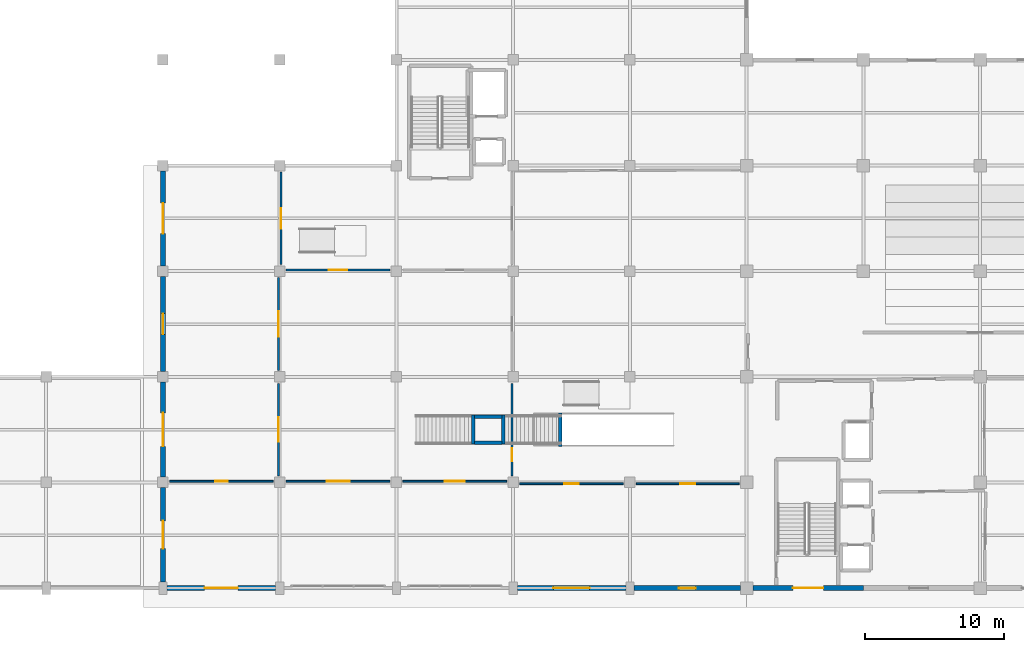
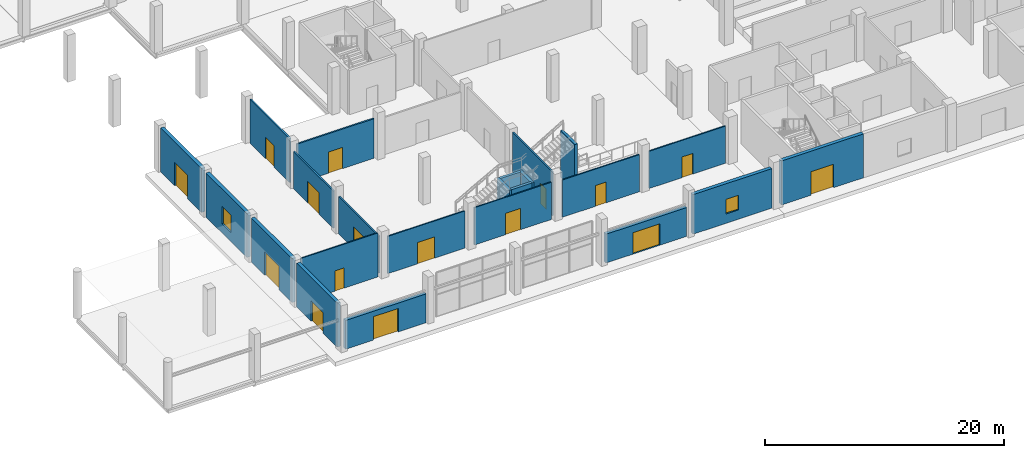
# One storey, part 15 of 36: 23 walls, 16 doors, 2 windows, 18 openings.
"""IFC4 building model written with IfcOpenShell, lengths in metres."""

import ifcopenshell
import ifcopenshell.guid

model = None  # the IFC model being written
_history = None  # IfcOwnerHistory: only IFC2X3 demands one
_inside = {}  # id of a spatial element -> (the spatial element, [elements in it])
_under = {}  # id of a project, library or spatial element -> (it, [spatial elements below it])
_declared = {}  # id of a project -> (the project, [libraries it declares])
_typed = {}  # id of a type object -> (the type object, [elements of that type])
_made_of = {}  # id of a material, layer set ... -> (it, [elements and type objects made of it])


def new_model(schema):
    """Start an empty IFC model of exactly this schema.

    Asked for "IFC4X3", IfcOpenShell would pick the latest addendum, in which some entities
    have other attributes; the version numbers below select the first issue.
    IFC2X3 requires an IfcOwnerHistory on every rooted entity: one is made here for all.
    """
    global model, _history
    if schema == "IFC4X3":
        model = ifcopenshell.file(schema_version=(4, 3, 0, 0))
    else:
        model = ifcopenshell.file(schema=schema)
    _inside.clear()
    _under.clear()
    _declared.clear()
    _typed.clear()
    _made_of.clear()
    _history = None
    if model.schema == "IFC2X3":
        org = make("IfcOrganization", Name="unknown")
        user = make(
            "IfcPersonAndOrganization",
            ThePerson=make("IfcPerson", FamilyName="unknown"),
            TheOrganization=org,
        )
        app = make(
            "IfcApplication",
            ApplicationDeveloper=org,
            Version="unknown",
            ApplicationFullName="unknown",
            ApplicationIdentifier="unknown",
        )
        _history = make(
            "IfcOwnerHistory",
            OwningUser=user,
            OwningApplication=app,
            ChangeAction="ADDED",
            CreationDate=0,
        )
    return model


def make(cls, **values):
    """One entity of the class cls with the attributes given. An attribute that is None is left unset."""
    return model.create_entity(
        cls, **{name: value for name, value in values.items() if value is not None}
    )


def rooted(cls, **values):
    """An entity with a GlobalId (a new one), such as an element, a storey or a relation."""
    return make(cls, GlobalId=ifcopenshell.guid.new(), OwnerHistory=_history, **values)


def si_unit(unit_type, name, prefix=None):
    """IfcSIUnit, for example si_unit("LENGTHUNIT", "METRE", prefix="MILLI")."""
    return make("IfcSIUnit", UnitType=unit_type, Prefix=prefix, Name=name)


def assignment(units):
    """IfcUnitAssignment: the units of a project."""
    return None if units is None else make("IfcUnitAssignment", Units=units)


def point(xyz):
    """IfcCartesianPoint."""
    return None if xyz is None else make("IfcCartesianPoint", Coordinates=xyz)


def direction(xyz):
    """IfcDirection."""
    return None if xyz is None else make("IfcDirection", DirectionRatios=xyz)


def frame(location, z_axis=None, x_axis=None):
    """IfcAxis2Placement3D, a coordinate frame: its origin and axes. An axis left out is left unset."""
    return make(
        "IfcAxis2Placement3D",
        Location=point(location),
        Axis=direction(z_axis),
        RefDirection=direction(x_axis),
    )


def frame_2d(location, x_axis=None):
    """IfcAxis2Placement2D, a coordinate frame in the plane: its origin and x axis."""
    return make(
        "IfcAxis2Placement2D", Location=point(location), RefDirection=direction(x_axis)
    )


def origin():
    """The frame at (0, 0, 0) with its axes left unset."""
    return frame((0.0, 0.0, 0.0))


def place(relative_to, where):
    """IfcLocalPlacement: puts the frame where relative to a parent placement (None: the world)."""
    return make(
        "IfcLocalPlacement", PlacementRelTo=relative_to, RelativePlacement=where
    )


def context(
    kind, dimensions, precision=None, world=None, true_north=None, identifier=None
):
    """IfcGeometricRepresentationContext, for example the 3D "Model" context."""
    return make(
        "IfcGeometricRepresentationContext",
        ContextIdentifier=identifier,
        ContextType=kind,
        CoordinateSpaceDimension=dimensions,
        Precision=precision,
        WorldCoordinateSystem=world,
        TrueNorth=true_north,
    )


def subcontext(parent, identifier, kind, view, scale=None):
    """IfcGeometricRepresentationSubContext, for example "Body" below "Model"."""
    return make(
        "IfcGeometricRepresentationSubContext",
        ContextIdentifier=identifier,
        ContextType=kind,
        ParentContext=parent,
        TargetScale=scale,
        TargetView=view,
    )


def project(units=None, contexts=None):
    """IfcProject with its units and contexts."""
    return rooted(
        "IfcProject",
        Name="project",
        RepresentationContexts=contexts,
        UnitsInContext=assignment(units),
    )


def spatial(cls, under=None, at=None, **own):
    """A site, building, storey or space (cls), placed at a placement, below another one or the project."""
    s = rooted(cls, ObjectPlacement=at, **own)
    if under is not None:
        _under.setdefault(under.id(), (under, []))[1].append(s)
    return s


def profile(cls, at=None, kind="AREA", **sizes):
    """A parametric profile (cls). Its sizes go by their IFC names, for example OverallWidth=200.0."""
    return make(cls, ProfileType=kind, Position=at, **sizes)


def rectangle(**sizes):
    """IfcRectangleProfileDef."""
    return profile("IfcRectangleProfileDef", **sizes)


def extrude(swept, where, along, depth):
    """IfcExtrudedAreaSolid: the profile swept, set in the frame where, extruded along a direction by depth."""
    return make(
        "IfcExtrudedAreaSolid",
        SweptArea=swept,
        Position=where,
        ExtrudedDirection=direction(along),
        Depth=depth,
    )


def shape(context_of_items, identifier, shape_type, items):
    """IfcShapeRepresentation: the items that make up one representation, for example the "Body"."""
    return make(
        "IfcShapeRepresentation",
        ContextOfItems=context_of_items,
        RepresentationIdentifier=identifier,
        RepresentationType=shape_type,
        Items=items,
    )


def material(Name=None, Category=None):
    """IfcMaterial."""
    return make("IfcMaterial", Name=Name, Category=Category)


def layer(
    of_material, thickness, ventilated=None, Name=None, Category=None, Priority=None
):
    """IfcMaterialLayer: one layer of a wall or slab, of a material (None: an air gap)."""
    return make(
        "IfcMaterialLayer",
        Material=of_material,
        LayerThickness=thickness,
        IsVentilated=ventilated,
        Name=Name,
        Category=Category,
        Priority=Priority,
    )


def layer_set(layers, Name=None):
    """IfcMaterialLayerSet."""
    return make("IfcMaterialLayerSet", MaterialLayers=layers, LayerSetName=Name)


def made_of(thing, what):
    """Note that an element or type object is made of a material, layer set ...; save() writes the relation."""
    if what is not None:
        _made_of.setdefault(what.id(), (what, []))[1].append(thing)
    return thing


def type_object(cls, material=None, **own):
    """A type object (cls), such as IfcWallType, which elements share."""
    return made_of(rooted(cls, **own), material)


def element(
    cls,
    number,
    at=None,
    inside=None,
    cuts=None,
    type_object=None,
    material=None,
    context=None,
    identifier="Body",
    shape_type=None,
    held_by="IfcProductDefinitionShape",
    body=None,
    shapes=None,
    **own,
):
    """One element of the class cls, such as IfcWall. Its Tag is "e" and its number.

    at: its placement. inside: the storey or other place that contains it. cuts: it is an
    opening in that element (IfcRelVoidsElement). A single representation is given by context,
    identifier, shape_type and body (its items); several are given by shapes. held_by: the class
    of the entity that holds the representations. save() writes the other relations.
    """
    e = rooted(cls, Tag="e%d" % number, ObjectPlacement=at, **own)
    if body is not None:
        shapes = [shape(context, identifier, shape_type, body)]
    if shapes is not None:
        e.Representation = make(held_by, Representations=shapes)
    if inside is not None:
        _inside.setdefault(inside.id(), (inside, []))[1].append(e)
    if cuts is not None:
        rooted(
            "IfcRelVoidsElement", RelatingBuildingElement=cuts, RelatedOpeningElement=e
        )
    if type_object is not None:
        _typed.setdefault(type_object.id(), (type_object, []))[1].append(e)
    return made_of(e, material)


def fill(opening, filler):
    """IfcRelFillsElement: the door or window that sits in an opening."""
    return rooted(
        "IfcRelFillsElement",
        RelatingOpeningElement=opening,
        RelatedBuildingElement=filler,
    )


def aggregate(whole, parts):
    """IfcRelAggregates: a whole, such as a stair, and the parts it consists of."""
    return rooted("IfcRelAggregates", RelatingObject=whole, RelatedObjects=parts)


def save(model, path):
    """Write the relations noted so far, then the file.

    IfcRelAggregates (storeys below a building ...), IfcRelContainedInSpatialStructure (elements
    in a storey), IfcRelDefinesByType, IfcRelAssociatesMaterial and IfcRelDeclares: one each for
    every whole, place, type object, material and project.
    """
    for whole, parts in _under.values():
        aggregate(whole, parts)
    for where, things in _inside.values():
        rooted(
            "IfcRelContainedInSpatialStructure",
            RelatedElements=things,
            RelatingStructure=where,
        )
    for kind, things in _typed.values():
        rooted("IfcRelDefinesByType", RelatedObjects=things, RelatingType=kind)
    for what, things in _made_of.values():
        rooted("IfcRelAssociatesMaterial", RelatedObjects=things, RelatingMaterial=what)
    for by, libraries in _declared.values():
        rooted("IfcRelDeclares", RelatingContext=by, RelatedDefinitions=libraries)
    model.write(path)


model = new_model("IFC4")

# Units and contexts
model_context = context("Model", 3, precision=1e-05, world=origin(), true_north=direction((0.0, 1.0)))
body_context = subcontext(model_context, "Body", "Model", "MODEL_VIEW")
ifc_project = project(units=[si_unit("LENGTHUNIT", "METRE"), si_unit("AREAUNIT", "SQUARE_METRE"), si_unit("VOLUMEUNIT", "CUBIC_METRE"), si_unit("PLANEANGLEUNIT", "RADIAN"), si_unit("MASSUNIT", "GRAM", prefix="KILO")], contexts=[model_context])

# Site, building, storey
site_placement = place(None, origin())
site = spatial("IfcSite", under=ifc_project, at=site_placement, CompositionType="ELEMENT")
building_placement = place(site_placement, origin())
building = spatial("IfcBuilding", under=site, at=building_placement, Name="Zuvorla Pavilion Media Centre", CompositionType="ELEMENT")
storey_placement = place(building_placement, origin())
storey = spatial("IfcBuildingStorey", under=building, at=storey_placement, Name="L00", CompositionType="ELEMENT", Elevation=0.0)

# Walls
ifc_material_1 = material(Name="Concrete C40/50", Category="concrete")
ifc_layer_1 = layer(ifc_material_1, 0.25)
ifc_layer_set_1 = layer_set([ifc_layer_1], Name="Concrete C40/50")
wall_type_1 = type_object("IfcWallType", Name="WL-COR-250", PredefinedType="SHEAR", material=ifc_layer_set_1)
for number, where, z_axis, x_axis, name in (
    (1, (47.139892578125, 16.35009765625, 0.0), (0.0, 0.0, 1.0), (0.0, 1.0, 0.0), "L00 shear wall CW25 353"),
    (2, (49.280029296875, 16.35009765625, 0.0), (0.0, 0.0, 1.0), (0.0, 1.0, 0.0), "L00 shear wall CW25 354"),
):
    element("IfcWall", number, at=place(storey_placement, frame(where, z_axis=z_axis, x_axis=x_axis)), inside=storey, type_object=wall_type_1, Name=name, PredefinedType="SHEAR", context=body_context, shape_type="SweptSolid", body=[
        extrude(rectangle(XDim=2.099853515625, YDim=0.25, at=frame_2d((1.0498046875, 0.0))), origin(), (0.0, 0.0, 1.0), 2.2099609375),
    ])
for number, where, z_axis, x_axis, name in (
    (3, (47.2099609375, 16.469970703125, 0.0), (0.0, 0.0, 1.0), (1.0, 0.0, 0.0), "L00 shear wall CW25 355"),
    (4, (47.2099609375, 18.330078125, 0.0), (0.0, 0.0, 1.0), (1.0, 0.0, 0.0), "L00 shear wall CW25 356"),
):
    element("IfcWall", number, at=place(storey_placement, frame(where, z_axis=z_axis, x_axis=x_axis)), inside=storey, type_object=wall_type_1, Name=name, PredefinedType="SHEAR", context=body_context, shape_type="SweptSolid", body=[
        extrude(rectangle(XDim=2.0, YDim=0.25, at=frame_2d((1.0, 0.0))), origin(), (0.0, 0.0, 1.0), 2.2099609375),
    ])
wall_1_placement = place(storey_placement, frame((53.3798828125, 16.199951171875, 0.0), z_axis=(0.0, 0.0, 1.0), x_axis=(0.0, 1.0, 0.0)))
element("IfcWall", 5, at=wall_1_placement, inside=storey, type_object=wall_type_1, Name="L00 shear wall CW25 357", PredefinedType="SHEAR", context=body_context, shape_type="SweptSolid", body=[
    extrude(rectangle(XDim=2.400146484375, YDim=0.25, at=frame_2d((1.2001953125, 0.0))), origin(), (0.0, 0.0, 1.0), 4.798095703125),
])

# Wall, opening, door
ifc_material_2 = material(Name="White rendered concrete C32/40", Category="concrete")
ifc_layer_2 = layer(ifc_material_2, 0.340087890625)
ifc_layer_set_2 = layer_set([ifc_layer_2], Name="White rendered concrete C32/40")
wall_type_2 = type_object("IfcWallType", Name="WL-EXT-340", PredefinedType="SOLIDWALL", material=ifc_layer_set_2)
wall_2_placement = place(storey_placement, frame((25.10009765625, 6.0, 0.0), z_axis=(0.0, 0.0, 1.0), x_axis=(1.0, 0.0, 0.0)))
wall_2 = element("IfcWall", 6, at=wall_2_placement, inside=storey, type_object=wall_type_2, Name="L00 exterior solid wall EW02 51", PredefinedType="SOLIDWALL", context=body_context, shape_type="SweptSolid", body=[
    extrude(rectangle(XDim=7.7998046875, YDim=0.340087890625, at=frame_2d((3.89990234375, 0.0))), origin(), (0.0, 0.0, 1.0), 2.947021484375),
])
opening_1_placement = place(wall_2_placement, frame((2.699951171875, 0.0, 0.0)))
opening_1 = element("IfcOpeningElement", 7, at=opening_1_placement, cuts=wall_2, Name="Opening ED01", PredefinedType="OPENING", context=body_context, shape_type="SweptSolid", body=[
    extrude(rectangle(XDim=2.39990234375, YDim=2.39990234375, at=frame_2d((1.199951171875, 1.199951171875))), frame((0.0, 0.179931640625, 0.0), z_axis=(0.0, -1.0, 0.0), x_axis=(1.0, 0.0, 0.0)), (0.0, 0.0, 1.0), 0.360107421875),
])
ifc_material_3 = material(Name="Anodised aluminium glazed entrance door", Category="aluminium")
door_type_1 = type_object("IfcDoorType", Name="DR-EXT-240x240", OperationType="NOTDEFINED", PredefinedType="DOOR", material=ifc_material_3)
door_1_placement = place(opening_1_placement, frame((2.39990234375, 0.0, 0.0), z_axis=(0.0, 0.0, 1.0), x_axis=(-1.0, 0.0, 0.0)))
door_1 = element("IfcDoor", 8, at=door_1_placement, inside=storey, type_object=door_type_1, Name="Exterior Exit Door DR-EXT-L00-001", OperationType="DOUBLE_DOOR_SINGLE_SWING", OverallHeight=2.39990234375, OverallWidth=2.39990234375, PredefinedType="DOOR", context=body_context, shape_type="SweptSolid", body=[
    extrude(rectangle(XDim=2.39990234375, YDim=2.39990234375, at=frame_2d((1.199951171875, 1.199951171875))), frame((0.0, 0.02490234375, 0.0), z_axis=(0.0, -1.0, 0.0), x_axis=(1.0, 0.0, 0.0)), (0.0, 0.0, 1.0), 0.050048828125),
])
fill(opening_1, door_1)

wall_3_placement = place(storey_placement, frame((50.300048828125, 6.0, 0.0), z_axis=(0.0, 0.0, 1.0), x_axis=(1.0, 0.0, 0.0)))
wall_3 = element("IfcWall", 9, at=wall_3_placement, inside=storey, type_object=wall_type_2, Name="L00 exterior solid wall EW02 52", PredefinedType="SOLIDWALL", context=body_context, shape_type="SweptSolid", body=[
    extrude(rectangle(XDim=7.800048828125, YDim=0.340087890625, at=frame_2d((3.89990234375, 0.0))), origin(), (0.0, 0.0, 1.0), 2.947021484375),
])
opening_2_placement = place(wall_3_placement, frame((2.60009765625, 0.0, 0.0)))
opening_2 = element("IfcOpeningElement", 10, at=opening_2_placement, cuts=wall_3, Name="Opening GT01", PredefinedType="OPENING", context=body_context, shape_type="SweptSolid", body=[
    extrude(rectangle(XDim=2.60009765625, YDim=2.199951171875, at=frame_2d((1.300048828125, 1.10009765625))), frame((0.0, 0.179931640625, 0.0), z_axis=(0.0, -1.0, 0.0), x_axis=(1.0, 0.0, 0.0)), (0.0, 0.0, 1.0), 0.360107421875),
])
ifc_material_4 = material(Name="Architectural powder-coated steel plaza gate", Category="steel")
door_type_2 = type_object("IfcDoorType", Name="DR-GAT-260x220", OperationType="NOTDEFINED", PredefinedType="GATE", material=ifc_material_4)
door_2_placement = place(opening_2_placement, frame((2.60009765625, 0.0, 0.0), z_axis=(0.0, 0.0, 1.0), x_axis=(-1.0, 0.0, 0.0)))
door_2 = element("IfcDoor", 11, at=door_2_placement, inside=storey, type_object=door_type_2, Name="Exterior Exit Door DR-EXT-L00-002", OperationType="DOUBLE_DOOR_SINGLE_SWING", OverallHeight=2.199951171875, OverallWidth=2.60009765625, PredefinedType="GATE", context=body_context, shape_type="SweptSolid", body=[
    extrude(rectangle(XDim=2.60009765625, YDim=2.199951171875, at=frame_2d((1.300048828125, 1.10009765625))), frame((0.0, 0.02490234375, 0.0), z_axis=(0.0, -1.0, 0.0), x_axis=(1.0, 0.0, 0.0)), (0.0, 0.0, 1.0), 0.050048828125),
])
fill(opening_2, door_2)

# Wall, opening, window
wall_4_placement = place(storey_placement, frame((58.699951171875, 6.0, 0.0), z_axis=(0.0, 0.0, 1.0), x_axis=(1.0, 0.0, 0.0)))
wall_4 = element("IfcWall", 12, at=wall_4_placement, inside=storey, type_object=wall_type_2, Name="L00 exterior solid wall EW02 53", PredefinedType="SOLIDWALL", context=body_context, shape_type="SweptSolid", body=[
    extrude(rectangle(XDim=7.650146484375, YDim=0.340087890625, at=frame_2d((3.8251953125, 0.0))), origin(), (0.0, 0.0, 1.0), 4.047119140625),
])
opening_3_placement = place(wall_4_placement, frame((3.22509765625, 0.0, 0.949951171875)))
opening_3 = element("IfcOpeningElement", 13, at=opening_3_placement, cuts=wall_4, Name="Opening WN01", PredefinedType="OPENING", context=body_context, shape_type="SweptSolid", body=[
    extrude(rectangle(XDim=1.199951171875, YDim=1.5, at=frame_2d((0.60009765625, 0.75))), frame((0.0, 0.179931640625, 0.0), z_axis=(0.0, -1.0, 0.0), x_axis=(1.0, 0.0, 0.0)), (0.0, 0.0, 1.0), 0.360107421875),
])
ifc_material_5 = material(Name="Anodised aluminium frame with solar double glazing", Category="aluminium")
window_type_1 = type_object("IfcWindowType", Name="WIN-WN01", PartitioningType="SINGLE_PANEL", PredefinedType="WINDOW", material=ifc_material_5)
window_1_placement = place(opening_3_placement, origin())
window_1 = element("IfcWindow", 14, at=window_1_placement, inside=storey, type_object=window_type_1, Name="L00 window WN01 1", OverallHeight=1.5, OverallWidth=1.199951171875, PartitioningType="SINGLE_PANEL", PredefinedType="WINDOW", context=body_context, shape_type="SweptSolid", body=[
    extrude(rectangle(XDim=1.199951171875, YDim=1.5, at=frame_2d((0.60009765625, 0.75))), frame((0.0, 0.030029296875, 0.0), z_axis=(0.0, -1.0, 0.0), x_axis=(1.0, 0.0, 0.0)), (0.0, 0.0, 1.0), 0.06005859375),
])
fill(opening_3, window_1)

# Wall, opening, door
wall_5_placement = place(storey_placement, frame((67.25, 6.0, 0.0), z_axis=(0.0, 0.0, 1.0), x_axis=(1.0, 0.0, 0.0)))
wall_5 = element("IfcWall", 15, at=wall_5_placement, inside=storey, type_object=wall_type_2, Name="L00 exterior solid wall EW02 54", PredefinedType="SOLIDWALL", context=body_context, shape_type="SweptSolid", body=[
    extrude(rectangle(XDim=7.949951171875, YDim=0.340087890625, at=frame_2d((3.97509765625, 0.0))), origin(), (0.0, 0.0, 1.0), 4.5),
])
opening_4_placement = place(wall_5_placement, frame((2.875, 0.0, 0.0)))
opening_4 = element("IfcOpeningElement", 16, at=opening_4_placement, cuts=wall_5, Name="Opening ED02", PredefinedType="OPENING", context=body_context, shape_type="SweptSolid", body=[
    extrude(rectangle(XDim=2.199951171875, YDim=2.39990234375, at=frame_2d((1.10009765625, 1.199951171875))), frame((0.0, 0.179931640625, 0.0), z_axis=(0.0, -1.0, 0.0), x_axis=(1.0, 0.0, 0.0)), (0.0, 0.0, 1.0), 0.360107421875),
])
ifc_material_6 = material(Name="Anodised aluminium glazed exit door", Category="aluminium")
door_type_3 = type_object("IfcDoorType", Name="DR-EXT-220x240", OperationType="NOTDEFINED", PredefinedType="DOOR", material=ifc_material_6)
door_3_placement = place(opening_4_placement, frame((2.199951171875, 0.0, 0.0), z_axis=(0.0, 0.0, 1.0), x_axis=(-1.0, 0.0, 0.0)))
door_3 = element("IfcDoor", 17, at=door_3_placement, inside=storey, type_object=door_type_3, Name="Exterior Exit Door DR-EXT-L00-003", OperationType="DOUBLE_DOOR_SINGLE_SWING", OverallHeight=2.39990234375, OverallWidth=2.199951171875, PredefinedType="DOOR", context=body_context, shape_type="SweptSolid", body=[
    extrude(rectangle(XDim=2.199951171875, YDim=2.39990234375, at=frame_2d((1.10009765625, 1.199951171875))), frame((0.0, 0.02490234375, 0.0), z_axis=(0.0, -1.0, 0.0), x_axis=(1.0, 0.0, 0.0)), (0.0, 0.0, 1.0), 0.050048828125),
])
fill(opening_4, door_3)

wall_6_placement = place(storey_placement, frame((24.800048828125, 36.02490234375, 0.0), z_axis=(0.0, 0.0, 1.0), x_axis=(0.0, -1.0, 0.0)))
wall_6 = element("IfcWall", 18, at=wall_6_placement, inside=storey, type_object=wall_type_2, Name="L00 exterior solid wall EW02 156", PredefinedType="SOLIDWALL", context=body_context, shape_type="SweptSolid", body=[
    extrude(rectangle(XDim=6.849853515625, YDim=0.340087890625, at=frame_2d((3.4248046875, 0.0))), origin(), (0.0, 0.0, 1.0), 4.5),
])
opening_5_placement = place(wall_6_placement, frame((2.324951171875, 0.0, 0.0)))
opening_5 = element("IfcOpeningElement", 19, at=opening_5_placement, cuts=wall_6, Name="Opening ED02", PredefinedType="OPENING", context=body_context, shape_type="SweptSolid", body=[
    extrude(rectangle(XDim=2.199951171875, YDim=2.39990234375, at=frame_2d((1.10009765625, 1.199951171875))), frame((0.0, 0.179931640625, 0.0), z_axis=(0.0, -1.0, 0.0), x_axis=(1.0, 0.0, 0.0)), (0.0, 0.0, 1.0), 0.360107421875),
])
door_4_placement = place(opening_5_placement, frame((2.199951171875, 0.0, 0.0), z_axis=(0.0, 0.0, 1.0), x_axis=(-1.0, 0.0, 0.0)))
door_4 = element("IfcDoor", 20, at=door_4_placement, inside=storey, type_object=door_type_3, Name="Exterior Exit Door DR-EXT-L00-018", OperationType="DOUBLE_DOOR_SINGLE_SWING", OverallHeight=2.39990234375, OverallWidth=2.199951171875, PredefinedType="DOOR", context=body_context, shape_type="SweptSolid", body=[
    extrude(rectangle(XDim=2.199951171875, YDim=2.39990234375, at=frame_2d((1.10009765625, 1.199951171875))), frame((0.0, 0.02490234375, 0.0), z_axis=(0.0, -1.0, 0.0), x_axis=(1.0, 0.0, 0.0)), (0.0, 0.0, 1.0), 0.050048828125),
])
fill(opening_5, door_4)

# Wall, opening, window
wall_7_placement = place(storey_placement, frame((24.800048828125, 28.425048828125, 0.0), z_axis=(0.0, 0.0, 1.0), x_axis=(0.0, -1.0, 0.0)))
wall_7 = element("IfcWall", 21, at=wall_7_placement, inside=storey, type_object=wall_type_2, Name="L00 exterior solid wall EW02 157", PredefinedType="SOLIDWALL", context=body_context, shape_type="SweptSolid", body=[
    extrude(rectangle(XDim=6.85009765625, YDim=0.340087890625, at=frame_2d((3.425048828125, 0.0))), origin(), (0.0, 0.0, 1.0), 4.5),
])
opening_6_placement = place(wall_7_placement, frame((2.675048828125, 0.0, 0.949951171875)))
opening_6 = element("IfcOpeningElement", 22, at=opening_6_placement, cuts=wall_7, Name="Opening WN10", PredefinedType="OPENING", context=body_context, shape_type="SweptSolid", body=[
    extrude(rectangle(XDim=1.5, YDim=1.800048828125, at=frame_2d((0.75, 0.89990234375))), frame((0.0, 0.179931640625, 0.0), z_axis=(0.0, -1.0, 0.0), x_axis=(1.0, 0.0, 0.0)), (0.0, 0.0, 1.0), 0.360107421875),
])
window_type_2 = type_object("IfcWindowType", Name="WIN-WN10", PartitioningType="SINGLE_PANEL", PredefinedType="WINDOW", material=ifc_material_5)
window_2_placement = place(opening_6_placement, origin())
window_2 = element("IfcWindow", 23, at=window_2_placement, inside=storey, type_object=window_type_2, Name="L00 window WN10 38", OverallHeight=1.800048828125, OverallWidth=1.5, PartitioningType="SINGLE_PANEL", PredefinedType="WINDOW", context=body_context, shape_type="SweptSolid", body=[
    extrude(rectangle(XDim=1.5, YDim=1.800048828125, at=frame_2d((0.75, 0.89990234375))), frame((0.0, 0.030029296875, 0.0), z_axis=(0.0, -1.0, 0.0), x_axis=(1.0, 0.0, 0.0)), (0.0, 0.0, 1.0), 0.06005859375),
])
fill(opening_6, window_2)

# Wall, opening, door
wall_8_placement = place(storey_placement, frame((24.800048828125, 20.824951171875, 0.0), z_axis=(0.0, 0.0, 1.0), x_axis=(0.0, -1.0, 0.0)))
wall_8 = element("IfcWall", 24, at=wall_8_placement, inside=storey, type_object=wall_type_2, Name="L00 exterior solid wall EW02 158", PredefinedType="SOLIDWALL", context=body_context, shape_type="SweptSolid", body=[
    extrude(rectangle(XDim=6.849853515625, YDim=0.340087890625, at=frame_2d((3.4248046875, 0.0))), origin(), (0.0, 0.0, 1.0), 4.5),
])
opening_7_placement = place(wall_8_placement, frame((2.22509765625, 0.0, 0.0)))
opening_7 = element("IfcOpeningElement", 25, at=opening_7_placement, cuts=wall_8, Name="Opening ED01", PredefinedType="OPENING", context=body_context, shape_type="SweptSolid", body=[
    extrude(rectangle(XDim=2.39990234375, YDim=2.39990234375, at=frame_2d((1.199951171875, 1.199951171875))), frame((0.0, 0.179931640625, 0.0), z_axis=(0.0, -1.0, 0.0), x_axis=(1.0, 0.0, 0.0)), (0.0, 0.0, 1.0), 0.360107421875),
])
door_5_placement = place(opening_7_placement, frame((2.39990234375, 0.0, 0.0), z_axis=(0.0, 0.0, 1.0), x_axis=(-1.0, 0.0, 0.0)))
door_5 = element("IfcDoor", 26, at=door_5_placement, inside=storey, type_object=door_type_1, Name="Exterior Exit Door DR-EXT-L00-019", OperationType="DOUBLE_DOOR_SINGLE_SWING", OverallHeight=2.39990234375, OverallWidth=2.39990234375, PredefinedType="DOOR", context=body_context, shape_type="SweptSolid", body=[
    extrude(rectangle(XDim=2.39990234375, YDim=2.39990234375, at=frame_2d((1.199951171875, 1.199951171875))), frame((0.0, 0.02490234375, 0.0), z_axis=(0.0, -1.0, 0.0), x_axis=(1.0, 0.0, 0.0)), (0.0, 0.0, 1.0), 0.050048828125),
])
fill(opening_7, door_5)

wall_9_placement = place(storey_placement, frame((24.800048828125, 13.22509765625, 0.0), z_axis=(0.0, 0.0, 1.0), x_axis=(0.0, -1.0, 0.0)))
wall_9 = element("IfcWall", 27, at=wall_9_placement, inside=storey, type_object=wall_type_2, Name="L00 exterior solid wall EW02 159", PredefinedType="SOLIDWALL", context=body_context, shape_type="SweptSolid", body=[
    extrude(rectangle(XDim=6.775146484375, YDim=0.340087890625, at=frame_2d((3.3876953125, 0.0))), origin(), (0.0, 0.0, 1.0), 4.5),
])
opening_8_placement = place(wall_9_placement, frame((2.387451171875, 0.0, 0.0)))
opening_8 = element("IfcOpeningElement", 28, at=opening_8_placement, cuts=wall_9, Name="Opening GT02", PredefinedType="OPENING", context=body_context, shape_type="SweptSolid", body=[
    extrude(rectangle(XDim=2.0, YDim=2.10009765625, at=frame_2d((1.0, 1.050048828125))), frame((0.0, 0.179931640625, 0.0), z_axis=(0.0, -1.0, 0.0), x_axis=(1.0, 0.0, 0.0)), (0.0, 0.0, 1.0), 0.360107421875),
])
ifc_material_7 = material(Name="Architectural powder-coated steel service gate", Category="steel")
door_type_4 = type_object("IfcDoorType", Name="DR-GAT-200x210", OperationType="NOTDEFINED", PredefinedType="GATE", material=ifc_material_7)
door_6_placement = place(opening_8_placement, frame((2.0, 0.0, 0.0), z_axis=(0.0, 0.0, 1.0), x_axis=(-1.0, 0.0, 0.0)))
door_6 = element("IfcDoor", 29, at=door_6_placement, inside=storey, type_object=door_type_4, Name="Exterior Exit Door DR-EXT-L00-020", OperationType="DOUBLE_DOOR_SINGLE_SWING", OverallHeight=2.10009765625, OverallWidth=2.0, PredefinedType="GATE", context=body_context, shape_type="SweptSolid", body=[
    extrude(rectangle(XDim=2.0, YDim=2.10009765625, at=frame_2d((1.0, 1.050048828125))), frame((0.0, 0.02490234375, 0.0), z_axis=(0.0, -1.0, 0.0), x_axis=(1.0, 0.0, 0.0)), (0.0, 0.0, 1.0), 0.050048828125),
])
fill(opening_8, door_6)

ifc_material_8 = material(Name="Lightweight gypsum partition")
ifc_layer_3 = layer(ifc_material_8, 0.1201171875)
ifc_layer_set_3 = layer_set([ifc_layer_3], Name="Lightweight gypsum partition")
wall_type_3 = type_object("IfcWallType", Name="WL-PRT-120", PredefinedType="PARTITIONING", material=ifc_layer_set_3)
wall_10_placement = place(storey_placement, frame((32.735107421875, 13.68994140625, 0.0), z_axis=(0.0, 0.0, 1.0), x_axis=(-1.0, 0.0, 0.0)))
wall_10 = element("IfcWall", 30, at=wall_10_placement, inside=storey, type_object=wall_type_3, Name="L00 partition PT12 408", PredefinedType="PARTITIONING", context=body_context, shape_type="SweptSolid", body=[
    extrude(rectangle(XDim=7.455078125, YDim=0.1201171875, at=frame_2d((3.7275390625, 0.0))), origin(), (0.0, 0.0, 1.0), 4.5),
])
opening_9_placement = place(wall_10_placement, frame((3.28759765625, 0.0, 0.0)))
opening_9 = element("IfcOpeningElement", 31, at=opening_9_placement, cuts=wall_10, Name="Opening ID01", PredefinedType="OPENING", context=body_context, shape_type="SweptSolid", body=[
    extrude(rectangle(XDim=0.8798828125, YDim=2.080078125, at=frame_2d((0.43994140625, 1.0400390625))), frame((0.0, 0.070068359375, 0.0), z_axis=(0.0, -1.0, 0.0), x_axis=(1.0, 0.0, 0.0)), (0.0, 0.0, 1.0), 0.14013671875),
])
ifc_material_9 = material(Name="Hardwood acoustic studio door in anodised frame", Category="wood")
door_type_5 = type_object("IfcDoorType", Name="DR-UNR-ID01", OperationType="NOTDEFINED", PredefinedType="DOOR", material=ifc_material_9)
door_7_placement = place(opening_9_placement, origin())
door_7 = element("IfcDoor", 32, at=door_7_placement, inside=storey, type_object=door_type_5, Name="Interior door ID01 152", OperationType="SINGLE_SWING_LEFT", OverallHeight=2.080078125, OverallWidth=0.8798828125, PredefinedType="DOOR", context=body_context, shape_type="SweptSolid", body=[
    extrude(rectangle(XDim=0.8798828125, YDim=2.080078125, at=frame_2d((0.43994140625, 1.0400390625))), frame((0.0, 0.02490234375, 0.0), z_axis=(0.0, -1.0, 0.0), x_axis=(1.0, 0.0, 0.0)), (0.0, 0.0, 1.0), 0.050048828125),
])
fill(opening_9, door_7)

wall_11_placement = place(storey_placement, frame((50.465087890625, 13.510009765625, 0.0), z_axis=(0.0, 0.0, 1.0), x_axis=(1.0, 0.0, 0.0)))
wall_11 = element("IfcWall", 33, at=wall_11_placement, inside=storey, type_object=wall_type_3, Name="L00 partition PT12 416", PredefinedType="PARTITIONING", context=body_context, shape_type="SweptSolid", body=[
    extrude(rectangle(XDim=7.469970703125, YDim=0.1201171875, at=frame_2d((3.73486328125, 0.0))), origin(), (0.0, 0.0, 1.0), 3.810302734375),
])
opening_10_placement = place(wall_11_placement, frame((3.22509765625, 0.0, 0.0)))
opening_10 = element("IfcOpeningElement", 34, at=opening_10_placement, cuts=wall_11, Name="Opening ID04", PredefinedType="OPENING", context=body_context, shape_type="SweptSolid", body=[
    extrude(rectangle(XDim=1.02001953125, YDim=2.1201171875, at=frame_2d((0.510009765625, 1.06005859375))), frame((0.0, 0.070068359375, 0.0), z_axis=(0.0, -1.0, 0.0), x_axis=(1.0, 0.0, 0.0)), (0.0, 0.0, 1.0), 0.14013671875),
])
door_type_6 = type_object("IfcDoorType", Name="DR-UNR-ID04", OperationType="NOTDEFINED", PredefinedType="DOOR", material=ifc_material_9)
door_8_placement = place(opening_10_placement, origin())
door_8 = element("IfcDoor", 35, at=door_8_placement, inside=storey, type_object=door_type_6, Name="Interior door ID04 160", OperationType="SINGLE_SWING_RIGHT", OverallHeight=2.1201171875, OverallWidth=1.02001953125, PredefinedType="DOOR", context=body_context, shape_type="SweptSolid", body=[
    extrude(rectangle(XDim=1.02001953125, YDim=2.1201171875, at=frame_2d((0.510009765625, 1.06005859375))), frame((0.0, 0.02490234375, 0.0), z_axis=(0.0, -1.0, 0.0), x_axis=(1.0, 0.0, 0.0)), (0.0, 0.0, 1.0), 0.050048828125),
])
fill(opening_10, door_8)

wall_12_placement = place(storey_placement, frame((58.864990234375, 13.510009765625, 0.0), z_axis=(0.0, 0.0, 1.0), x_axis=(1.0, 0.0, 0.0)))
wall_12 = element("IfcWall", 36, at=wall_12_placement, inside=storey, type_object=wall_type_3, Name="L00 partition PT12 417", PredefinedType="PARTITIONING", context=body_context, shape_type="SweptSolid", body=[
    extrude(rectangle(XDim=7.39501953125, YDim=0.1201171875, at=frame_2d((3.697509765625, 0.0))), origin(), (0.0, 0.0, 1.0), 3.810302734375),
])
opening_11_placement = place(wall_12_placement, frame((3.157470703125, 0.0, 0.0)))
opening_11 = element("IfcOpeningElement", 37, at=opening_11_placement, cuts=wall_12, Name="Opening ID05", PredefinedType="OPENING", context=body_context, shape_type="SweptSolid", body=[
    extrude(rectangle(XDim=1.080078125, YDim=2.1201171875, at=frame_2d((0.5400390625, 1.06005859375))), frame((0.0, 0.070068359375, 0.0), z_axis=(0.0, -1.0, 0.0), x_axis=(1.0, 0.0, 0.0)), (0.0, 0.0, 1.0), 0.14013671875),
])
door_type_7 = type_object("IfcDoorType", Name="DR-UNR-ID05", OperationType="NOTDEFINED", PredefinedType="DOOR", material=ifc_material_9)
door_9_placement = place(opening_11_placement, origin())
door_9 = element("IfcDoor", 38, at=door_9_placement, inside=storey, type_object=door_type_7, Name="Interior door ID05 161", OperationType="SINGLE_SWING_LEFT", OverallHeight=2.1201171875, OverallWidth=1.080078125, PredefinedType="DOOR", context=body_context, shape_type="SweptSolid", body=[
    extrude(rectangle(XDim=1.080078125, YDim=2.1201171875, at=frame_2d((0.5400390625, 1.06005859375))), frame((0.0, 0.02490234375, 0.0), z_axis=(0.0, -1.0, 0.0), x_axis=(1.0, 0.0, 0.0)), (0.0, 0.0, 1.0), 0.050048828125),
])
fill(opening_11, door_9)

wall_13_placement = place(storey_placement, frame((49.534912109375, 13.68994140625, 0.0), z_axis=(0.0, 0.0, 1.0), x_axis=(-1.0, 0.0, 0.0)))
wall_13 = element("IfcWall", 39, at=wall_13_placement, inside=storey, type_object=wall_type_3, Name="L00 partition PT12 428", PredefinedType="PARTITIONING", context=body_context, shape_type="SweptSolid", body=[
    extrude(rectangle(XDim=7.469970703125, YDim=0.1201171875, at=frame_2d((3.73486328125, 0.0))), origin(), (0.0, 0.0, 1.0), 3.810302734375),
])
opening_12_placement = place(wall_13_placement, frame((3.010009765625, 0.0, 0.0)))
opening_12 = element("IfcOpeningElement", 40, at=opening_12_placement, cuts=wall_13, Name="Opening ID09", PredefinedType="OPENING", context=body_context, shape_type="SweptSolid", body=[
    extrude(rectangle(XDim=1.449951171875, YDim=2.179931640625, at=frame_2d((0.72509765625, 1.08984375))), frame((0.0, 0.070068359375, 0.0), z_axis=(0.0, -1.0, 0.0), x_axis=(1.0, 0.0, 0.0)), (0.0, 0.0, 1.0), 0.14013671875),
])
door_type_8 = type_object("IfcDoorType", Name="DR-UNR-ID09", OperationType="NOTDEFINED", PredefinedType="DOOR", material=ifc_material_9)
door_10_placement = place(opening_12_placement, origin())
door_10 = element("IfcDoor", 41, at=door_10_placement, inside=storey, type_object=door_type_8, Name="Interior door ID09 172", OperationType="DOUBLE_DOOR_SINGLE_SWING", OverallHeight=2.179931640625, OverallWidth=1.449951171875, PredefinedType="DOOR", context=body_context, shape_type="SweptSolid", body=[
    extrude(rectangle(XDim=1.449951171875, YDim=2.179931640625, at=frame_2d((0.72509765625, 1.08984375))), frame((0.0, 0.02490234375, 0.0), z_axis=(0.0, -1.0, 0.0), x_axis=(1.0, 0.0, 0.0)), (0.0, 0.0, 1.0), 0.050048828125),
])
fill(opening_12, door_10)

wall_14_placement = place(storey_placement, frame((41.135009765625, 13.68994140625, 0.0), z_axis=(0.0, 0.0, 1.0), x_axis=(-1.0, 0.0, 0.0)))
wall_14 = element("IfcWall", 42, at=wall_14_placement, inside=storey, type_object=wall_type_3, Name="L00 partition PT12 429", PredefinedType="PARTITIONING", context=body_context, shape_type="SweptSolid", body=[
    extrude(rectangle(XDim=7.469970703125, YDim=0.1201171875, at=frame_2d((3.73486328125, 0.0))), origin(), (0.0, 0.0, 1.0), 3.810302734375),
])
opening_13_placement = place(wall_14_placement, frame((2.909912109375, 0.0, 0.0)))
opening_13 = element("IfcOpeningElement", 43, at=opening_13_placement, cuts=wall_14, Name="Opening ID10", PredefinedType="OPENING", context=body_context, shape_type="SweptSolid", body=[
    extrude(rectangle(XDim=1.64990234375, YDim=2.179931640625, at=frame_2d((0.824951171875, 1.08984375))), frame((0.0, 0.070068359375, 0.0), z_axis=(0.0, -1.0, 0.0), x_axis=(1.0, 0.0, 0.0)), (0.0, 0.0, 1.0), 0.14013671875),
])
door_type_9 = type_object("IfcDoorType", Name="DR-UNR-ID10", OperationType="NOTDEFINED", PredefinedType="DOOR", material=ifc_material_9)
door_11_placement = place(opening_13_placement, origin())
door_11 = element("IfcDoor", 44, at=door_11_placement, inside=storey, type_object=door_type_9, Name="Interior door ID10 173", OperationType="DOUBLE_DOOR_SINGLE_SWING", OverallHeight=2.179931640625, OverallWidth=1.64990234375, PredefinedType="DOOR", context=body_context, shape_type="SweptSolid", body=[
    extrude(rectangle(XDim=1.64990234375, YDim=2.179931640625, at=frame_2d((0.824951171875, 1.08984375))), frame((0.0, 0.02490234375, 0.0), z_axis=(0.0, -1.0, 0.0), x_axis=(1.0, 0.0, 0.0)), (0.0, 0.0, 1.0), 0.050048828125),
])
fill(opening_13, door_11)

ifc_material_10 = material(Name="Acoustic gypsum stud partition")
ifc_layer_4 = layer(ifc_material_10, 0.14990234375)
ifc_layer_set_4 = layer_set([ifc_layer_4], Name="Acoustic gypsum stud partition")
wall_type_4 = type_object("IfcWallType", Name="WL-PRT-150", PredefinedType="PARTITIONING", material=ifc_layer_set_4)
wall_15_placement = place(storey_placement, frame((33.2900390625, 29.264892578125, 0.0), z_axis=(0.0, 0.0, 1.0), x_axis=(0.0, 1.0, 0.0)))
wall_15 = element("IfcWall", 45, at=wall_15_placement, inside=storey, type_object=wall_type_4, Name="L00 partition PT15 404", PredefinedType="PARTITIONING", context=body_context, shape_type="SweptSolid", body=[
    extrude(rectangle(XDim=6.655029296875, YDim=0.14990234375, at=frame_2d((3.32763671875, 0.0))), origin(), (0.0, 0.0, 1.0), 4.5),
])
opening_14_placement = place(wall_15_placement, frame((2.6025390625, 0.0, 0.0)))
opening_14 = element("IfcOpeningElement", 46, at=opening_14_placement, cuts=wall_15, Name="Opening ID09", PredefinedType="OPENING", context=body_context, shape_type="SweptSolid", body=[
    extrude(rectangle(XDim=1.449951171875, YDim=2.179931640625, at=frame_2d((0.72509765625, 1.08984375))), frame((0.0, 0.0849609375, 0.0), z_axis=(0.0, -1.0, 0.0), x_axis=(1.0, 0.0, 0.0)), (0.0, 0.0, 1.0), 0.169921875),
])
door_12_placement = place(opening_14_placement, origin())
door_12 = element("IfcDoor", 47, at=door_12_placement, inside=storey, type_object=door_type_8, Name="Interior door ID09 148", OperationType="DOUBLE_DOOR_SINGLE_SWING", OverallHeight=2.179931640625, OverallWidth=1.449951171875, PredefinedType="DOOR", context=body_context, shape_type="SweptSolid", body=[
    extrude(rectangle(XDim=1.449951171875, YDim=2.179931640625, at=frame_2d((0.72509765625, 1.08984375))), frame((0.0, 0.02490234375, 0.0), z_axis=(0.0, -1.0, 0.0), x_axis=(1.0, 0.0, 0.0)), (0.0, 0.0, 1.0), 0.050048828125),
])
fill(opening_14, door_12)

wall_16_placement = place(storey_placement, frame((33.110107421875, 20.735107421875, 0.0), z_axis=(0.0, 0.0, 1.0), x_axis=(0.0, -1.0, 0.0)))
wall_16 = element("IfcWall", 48, at=wall_16_placement, inside=storey, type_object=wall_type_4, Name="L00 partition PT15 406", PredefinedType="PARTITIONING", context=body_context, shape_type="SweptSolid", body=[
    extrude(rectangle(XDim=6.670166015625, YDim=0.14990234375, at=frame_2d((3.3349609375, 0.0))), origin(), (0.0, 0.0, 1.0), 3.810302734375),
])
opening_15_placement = place(wall_16_placement, frame((2.4599609375, 0.0, 0.0)))
opening_15 = element("IfcOpeningElement", 49, at=opening_15_placement, cuts=wall_16, Name="Opening ID11", PredefinedType="OPENING", context=body_context, shape_type="SweptSolid", body=[
    extrude(rectangle(XDim=1.75, YDim=2.219970703125, at=frame_2d((0.875, 1.10986328125))), frame((0.0, 0.0849609375, 0.0), z_axis=(0.0, -1.0, 0.0), x_axis=(1.0, 0.0, 0.0)), (0.0, 0.0, 1.0), 0.169921875),
])
door_type_10 = type_object("IfcDoorType", Name="DR-UNR-ID11", OperationType="NOTDEFINED", PredefinedType="DOOR", material=ifc_material_9)
door_13_placement = place(opening_15_placement, origin())
door_13 = element("IfcDoor", 50, at=door_13_placement, inside=storey, type_object=door_type_10, Name="Interior door ID11 150", OperationType="DOUBLE_DOOR_SINGLE_SWING", OverallHeight=2.219970703125, OverallWidth=1.75, PredefinedType="DOOR", context=body_context, shape_type="SweptSolid", body=[
    extrude(rectangle(XDim=1.75, YDim=2.219970703125, at=frame_2d((0.875, 1.10986328125))), frame((0.0, 0.02490234375, 0.0), z_axis=(0.0, -1.0, 0.0), x_axis=(1.0, 0.0, 0.0)), (0.0, 0.0, 1.0), 0.050048828125),
])
fill(opening_15, door_13)

wall_17_placement = place(storey_placement, frame((33.110107421875, 28.3349609375, 0.0), z_axis=(0.0, 0.0, 1.0), x_axis=(0.0, -1.0, 0.0)))
wall_17 = element("IfcWall", 51, at=wall_17_placement, inside=storey, type_object=wall_type_4, Name="L00 partition PT15 407", PredefinedType="PARTITIONING", context=body_context, shape_type="SweptSolid", body=[
    extrude(rectangle(XDim=6.669921875, YDim=0.14990234375, at=frame_2d((3.3349609375, 0.0))), origin(), (0.0, 0.0, 1.0), 3.810302734375),
])
opening_16_placement = place(wall_17_placement, frame((2.409912109375, 0.0, 0.0)))
opening_16 = element("IfcOpeningElement", 52, at=opening_16_placement, cuts=wall_17, Name="Opening ID12", PredefinedType="OPENING", context=body_context, shape_type="SweptSolid", body=[
    extrude(rectangle(XDim=1.85009765625, YDim=2.219970703125, at=frame_2d((0.925048828125, 1.10986328125))), frame((0.0, 0.0849609375, 0.0), z_axis=(0.0, -1.0, 0.0), x_axis=(1.0, 0.0, 0.0)), (0.0, 0.0, 1.0), 0.169921875),
])
door_type_11 = type_object("IfcDoorType", Name="DR-UNR-ID12", OperationType="NOTDEFINED", PredefinedType="DOOR", material=ifc_material_9)
door_14_placement = place(opening_16_placement, origin())
door_14 = element("IfcDoor", 53, at=door_14_placement, inside=storey, type_object=door_type_11, Name="Interior door ID12 151", OperationType="DOUBLE_DOOR_SINGLE_SWING", OverallHeight=2.219970703125, OverallWidth=1.85009765625, PredefinedType="DOOR", context=body_context, shape_type="SweptSolid", body=[
    extrude(rectangle(XDim=1.85009765625, YDim=2.219970703125, at=frame_2d((0.925048828125, 1.10986328125))), frame((0.0, 0.02490234375, 0.0), z_axis=(0.0, -1.0, 0.0), x_axis=(1.0, 0.0, 0.0)), (0.0, 0.0, 1.0), 0.050048828125),
])
fill(opening_16, door_14)

wall_18_placement = place(storey_placement, frame((49.909912109375, 20.735107421875, 0.0), z_axis=(0.0, 0.0, 1.0), x_axis=(0.0, -1.0, 0.0)))
wall_18 = element("IfcWall", 54, at=wall_18_placement, inside=storey, type_object=wall_type_4, Name="L00 partition PT15 414", PredefinedType="PARTITIONING", context=body_context, shape_type="SweptSolid", body=[
    extrude(rectangle(XDim=6.670166015625, YDim=0.14990234375, at=frame_2d((3.3349609375, 0.0))), origin(), (0.0, 0.0, 1.0), 4.5),
])
opening_17_placement = place(wall_18_placement, frame((4.675048828125, 0.0, 0.0)))
opening_17 = element("IfcOpeningElement", 55, at=opening_17_placement, cuts=wall_18, Name="Opening ID02", PredefinedType="OPENING", context=body_context, shape_type="SweptSolid", body=[
    extrude(rectangle(XDim=0.919921875, YDim=2.080078125, at=frame_2d((0.4599609375, 1.0400390625))), frame((0.0, 0.0849609375, 0.0), z_axis=(0.0, -1.0, 0.0), x_axis=(1.0, 0.0, 0.0)), (0.0, 0.0, 1.0), 0.169921875),
])
door_type_12 = type_object("IfcDoorType", Name="DR-UNR-ID02", OperationType="NOTDEFINED", PredefinedType="DOOR", material=ifc_material_9)
door_15_placement = place(opening_17_placement, origin())
door_15 = element("IfcDoor", 56, at=door_15_placement, inside=storey, type_object=door_type_12, Name="Interior door ID02 158", OperationType="SINGLE_SWING_RIGHT", OverallHeight=2.080078125, OverallWidth=0.919921875, PredefinedType="DOOR", context=body_context, shape_type="SweptSolid", body=[
    extrude(rectangle(XDim=0.919921875, YDim=2.080078125, at=frame_2d((0.4599609375, 1.0400390625))), frame((0.0, 0.02490234375, 0.0), z_axis=(0.0, -1.0, 0.0), x_axis=(1.0, 0.0, 0.0)), (0.0, 0.0, 1.0), 0.050048828125),
])
fill(opening_17, door_15)

wall_19_placement = place(storey_placement, frame((41.135009765625, 28.889892578125, 0.0), z_axis=(0.0, 0.0, 1.0), x_axis=(-1.0, 0.0, 0.0)))
wall_19 = element("IfcWall", 57, at=wall_19_placement, inside=storey, type_object=wall_type_4, Name="L00 partition PT15 427", PredefinedType="PARTITIONING", context=body_context, shape_type="SweptSolid", body=[
    extrude(rectangle(XDim=7.469970703125, YDim=0.14990234375, at=frame_2d((3.73486328125, 0.0))), origin(), (0.0, 0.0, 1.0), 4.047119140625),
])
opening_18_placement = place(wall_19_placement, frame((3.06005859375, 0.0, 0.0)))
opening_18 = element("IfcOpeningElement", 58, at=opening_18_placement, cuts=wall_19, Name="Opening ID08", PredefinedType="OPENING", context=body_context, shape_type="SweptSolid", body=[
    extrude(rectangle(XDim=1.35009765625, YDim=2.179931640625, at=frame_2d((0.675048828125, 1.08984375))), frame((0.0, 0.0849609375, 0.0), z_axis=(0.0, -1.0, 0.0), x_axis=(1.0, 0.0, 0.0)), (0.0, 0.0, 1.0), 0.169921875),
])
door_type_13 = type_object("IfcDoorType", Name="DR-UNR-ID08", OperationType="NOTDEFINED", PredefinedType="DOOR", material=ifc_material_9)
door_16_placement = place(opening_18_placement, origin())
door_16 = element("IfcDoor", 59, at=door_16_placement, inside=storey, type_object=door_type_13, Name="Interior door ID08 171", OperationType="DOUBLE_DOOR_SINGLE_SWING", OverallHeight=2.179931640625, OverallWidth=1.35009765625, PredefinedType="DOOR", context=body_context, shape_type="SweptSolid", body=[
    extrude(rectangle(XDim=1.35009765625, YDim=2.179931640625, at=frame_2d((0.675048828125, 1.08984375))), frame((0.0, 0.02490234375, 0.0), z_axis=(0.0, -1.0, 0.0), x_axis=(1.0, 0.0, 0.0)), (0.0, 0.0, 1.0), 0.050048828125),
])
fill(opening_18, door_16)

save(model, "model.ifc")
